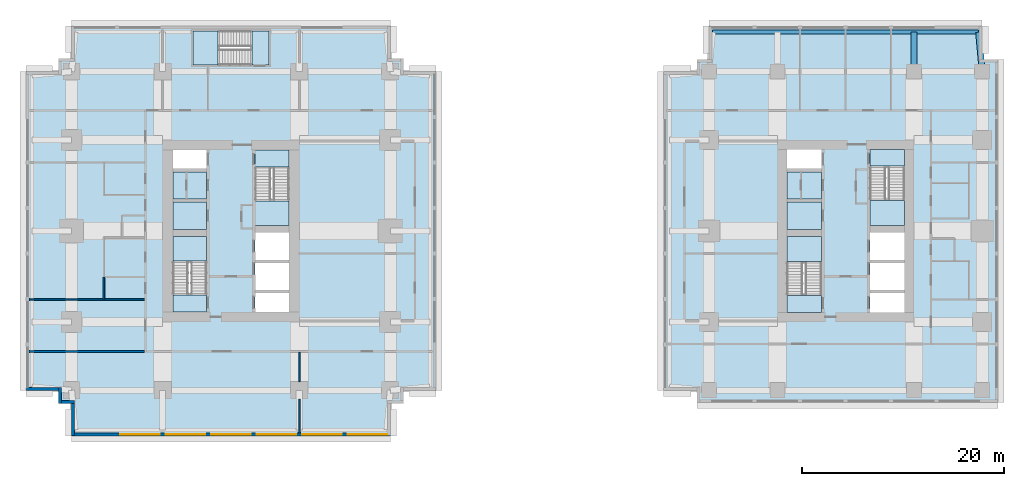
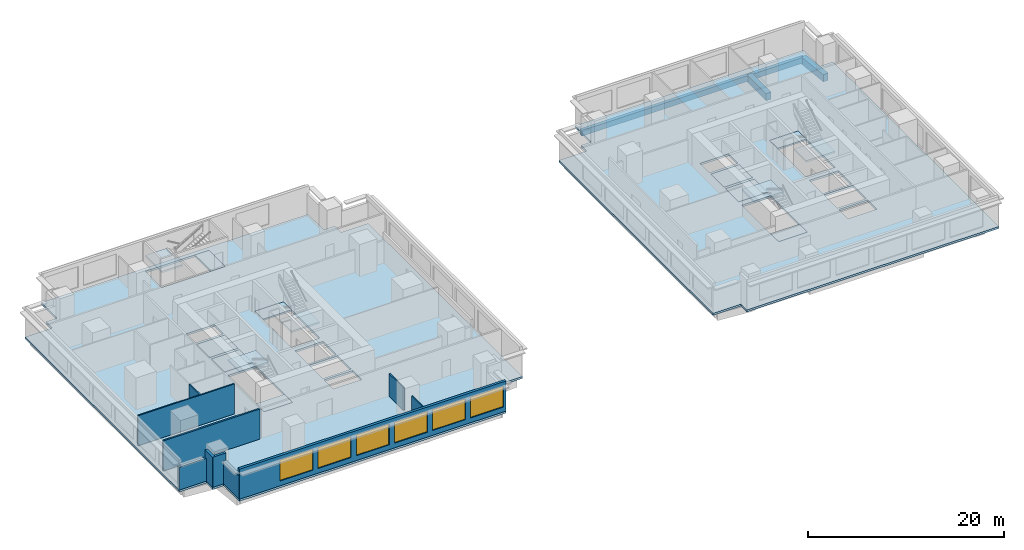
# One storey, part 2 of 10: 16 slabs, 10 walls, 6 windows, 3 beams, 6 openings, 5 elements without a shape of their own.
"""IFC4 building model written with IfcOpenShell, lengths in metres."""

from ifc_helpers import new_model, si_unit, direction, frame, frame_2d, origin, origin_2d, place, context, subcontext, project, spatial, polyline, rectangle, outline, extrude, material, layer, layer_set, material_profile, profile_set, type_object, element, fill, aggregate, save


model = new_model("IFC4")

# Units and contexts
model_context = context("Model", 3, precision=1e-05, world=origin(), true_north=direction((0.0, 1.0)))
body_context = subcontext(model_context, "Body", "Model", "MODEL_VIEW")
ifc_project = project(units=[si_unit("LENGTHUNIT", "METRE"), si_unit("AREAUNIT", "SQUARE_METRE"), si_unit("VOLUMEUNIT", "CUBIC_METRE"), si_unit("PLANEANGLEUNIT", "RADIAN"), si_unit("MASSUNIT", "GRAM", prefix="KILO")], contexts=[model_context])

# Site, building, storey
site_placement = place(None, origin())
site = spatial("IfcSite", under=ifc_project, at=site_placement, CompositionType="ELEMENT")
building_placement = place(site_placement, origin())
building = spatial("IfcBuilding", under=site, at=building_placement, Name="Namib Vertical Campus", CompositionType="ELEMENT")
storey_placement = place(building_placement, frame((0.0, 0.0, 161.0)))
storey = spatial("IfcBuildingStorey", under=building, at=storey_placement, Name="L38", CompositionType="ELEMENT", Elevation=161.0)

# Beams
ifc_material_1 = material(Name="Concrete C40/50", Category="concrete")
ifc_material_profile_1 = material_profile(ifc_material_1, rectangle(XDim=0.60009765625, YDim=0.89990234375, at=origin_2d()))
ifc_profile_set_1 = profile_set([ifc_material_profile_1], Name="Concrete C40/50")
beam_type_1 = type_object("IfcBeamType", Name="Cantilever girder RC 600x900", PredefinedType="BEAM", material=ifc_profile_set_1)
beam_1_placement = place(storey_placement, frame((87.75, 36.0, -0.699951171875), z_axis=(0.0, 1.0, 0.0), x_axis=(-1.0, 0.0, 0.0)))
element("IfcBeam", 1, at=beam_1_placement, inside=storey, type_object=beam_type_1, Name="Beam B3 L38", PredefinedType="BEAM", context=body_context, shape_type="SweptSolid", body=[
    extrude(rectangle(XDim=0.60009765625, YDim=0.89990234375, at=origin_2d()), origin(), (0.0, 0.0, 1.0), 3.89990234375),
])
beam_2_placement = place(storey_placement, frame((94.5, 36.0, -0.699951171875), z_axis=(-0.089411326146, 0.995994786511, 0.0), x_axis=(-0.995994786511, -0.089411326146, 0.0)))
element("IfcBeam", 2, at=beam_2_placement, inside=storey, type_object=beam_type_1, Name="Beam B3 L38", PredefinedType="BEAM", context=body_context, shape_type="SweptSolid", body=[
    extrude(rectangle(XDim=0.60009765625, YDim=0.89990234375, at=origin_2d()), origin(), (0.0, 0.0, 1.0), 3.91552734375),
])
ifc_material_2 = material(Name="Concrete C40/50", Category="concrete")
ifc_material_profile_2 = material_profile(ifc_material_2, rectangle(XDim=0.39990234375, YDim=0.699951171875, at=origin_2d()))
ifc_profile_set_2 = profile_set([ifc_material_profile_2], Name="Concrete C40/50")
beam_type_2 = type_object("IfcBeamType", Name="Edge beam RC 400x700", PredefinedType="SPANDREL", material=ifc_profile_set_2)
beam_3_placement = place(storey_placement, frame((67.85009765625, 39.89990234375, -0.60009765625), z_axis=(1.0, 0.0, 0.0), x_axis=(0.0, 1.0, 0.0)))
element("IfcBeam", 3, at=beam_3_placement, inside=storey, type_object=beam_type_2, Name="Beam B4 L38", PredefinedType="SPANDREL", context=body_context, shape_type="SweptSolid", body=[
    extrude(rectangle(XDim=0.39990234375, YDim=0.699951171875, at=origin_2d()), origin(), (0.0, 0.0, 1.0), 26.2998046875),
])

# Slabs
ifc_material_3 = material(Name="Concrete C40/50", Category="concrete")
ifc_layer_1 = layer(ifc_material_3, 0.25)
ifc_layer_set_1 = layer_set([ifc_layer_1], Name="Concrete C40/50")
slab_type_1 = type_object("IfcSlabType", Name="Floor slab 250", PredefinedType="FLOOR", material=ifc_layer_set_1)
slab_1_placement = place(storey_placement, frame((0.0, 0.0, -0.25)))
element("IfcSlab", 4, at=slab_1_placement, inside=storey, type_object=slab_type_1, Name="Floor slab A L38", PredefinedType="FLOOR", context=body_context, shape_type="SweptSolid", body=[
    extrude(outline(polyline([(4.5, 0.0), (36.0, 0.0), (36.0, 3.199951171875), (37.300048828125, 3.199951171875), (37.300048828125, 4.5), (40.5, 4.5), (40.5, 36.0), (37.300048828125, 36.0), (37.300048828125, 37.300048828125), (36.0, 37.300048828125), (36.0, 40.5), (4.5, 40.5), (4.5, 37.300048828125), (3.199951171875, 37.300048828125), (3.199951171875, 36.0), (0.0, 36.0), (0.0, 4.5), (3.199951171875, 4.5), (3.199951171875, 3.199951171875), (4.5, 3.199951171875), (4.5, 0.0)]), holes=[polyline([(14.5, 12.25), (17.85009765625, 12.25), (17.85009765625, 19.699951171875), (14.5, 19.699951171875), (14.5, 12.25)]), polyline([(22.64990234375, 20.800048828125), (26.0, 20.800048828125), (26.0, 28.25), (22.64990234375, 28.25), (22.64990234375, 20.800048828125)]), polyline([(22.64990234375, 12.25), (26.0, 12.25), (26.0, 14.10009765625), (22.64990234375, 14.10009765625), (22.64990234375, 12.25)]), polyline([(14.5, 20.39990234375), (17.85009765625, 20.39990234375), (17.85009765625, 23.10009765625), (14.5, 23.10009765625), (14.5, 20.39990234375)]), polyline([(14.5, 23.39990234375), (17.85009765625, 23.39990234375), (17.85009765625, 26.10009765625), (14.5, 26.10009765625), (14.5, 23.39990234375)]), polyline([(14.5, 26.39990234375), (17.85009765625, 26.39990234375), (17.85009765625, 28.25), (14.5, 28.25), (14.5, 26.39990234375)]), polyline([(22.64990234375, 14.39990234375), (26.0, 14.39990234375), (26.0, 17.10009765625), (22.64990234375, 17.10009765625), (22.64990234375, 14.39990234375)]), polyline([(22.64990234375, 17.39990234375), (26.0, 17.39990234375), (26.0, 20.10009765625), (22.64990234375, 20.10009765625), (22.64990234375, 17.39990234375)]), polyline([(16.5, 36.64990234375), (24.0, 36.64990234375), (24.0, 40.0), (16.5, 40.0), (16.5, 36.64990234375)])]), origin(), (0.0, 0.0, 1.0), 0.25),
])
slab_2_placement = place(storey_placement, frame((0.0, 0.0, -0.25)))
element("IfcSlab", 5, at=slab_2_placement, inside=storey, type_object=slab_type_1, Name="Floor slab B L38", PredefinedType="FLOOR", context=body_context, shape_type="SweptSolid", body=[
    extrude(outline(polyline([(63.0, 4.5), (66.300048828125, 4.5), (66.300048828125, 3.300048828125), (96.050048828125, 3.300048828125), (96.050048828125, 37.199951171875), (94.5, 37.199951171875), (94.5, 40.5), (67.5, 40.5), (67.5, 37.199951171875), (66.300048828125, 37.199951171875), (66.300048828125, 36.0), (63.0, 36.0), (63.0, 4.5)]), holes=[polyline([(75.199951171875, 12.199951171875), (78.60009765625, 12.199951171875), (78.60009765625, 19.699951171875), (75.199951171875, 19.699951171875), (75.199951171875, 12.199951171875)]), polyline([(83.39990234375, 20.800048828125), (86.800048828125, 20.800048828125), (86.800048828125, 28.300048828125), (83.39990234375, 28.300048828125), (83.39990234375, 20.800048828125)]), polyline([(83.39990234375, 12.199951171875), (86.800048828125, 12.199951171875), (86.800048828125, 14.10009765625), (83.39990234375, 14.10009765625), (83.39990234375, 12.199951171875)]), polyline([(75.199951171875, 20.39990234375), (78.60009765625, 20.39990234375), (78.60009765625, 23.10009765625), (75.199951171875, 23.10009765625), (75.199951171875, 20.39990234375)]), polyline([(75.199951171875, 23.39990234375), (78.60009765625, 23.39990234375), (78.60009765625, 26.10009765625), (75.199951171875, 26.10009765625), (75.199951171875, 23.39990234375)]), polyline([(75.199951171875, 26.39990234375), (78.60009765625, 26.39990234375), (78.60009765625, 28.300048828125), (75.199951171875, 28.300048828125), (75.199951171875, 26.39990234375)]), polyline([(83.39990234375, 14.39990234375), (86.800048828125, 14.39990234375), (86.800048828125, 17.10009765625), (83.39990234375, 17.10009765625), (83.39990234375, 14.39990234375)]), polyline([(83.39990234375, 17.39990234375), (86.800048828125, 17.39990234375), (86.800048828125, 20.10009765625), (83.39990234375, 20.10009765625), (83.39990234375, 17.39990234375)])]), origin(), (0.0, 0.0, 1.0), 0.25),
])
ifc_material_4 = material(Name="Concrete C40/50 precast", Category="concrete")
ifc_layer_2 = layer(ifc_material_4, 0.25)
ifc_layer_set_2 = layer_set([ifc_layer_2], Name="Concrete C40/50 precast")
slab_type_2 = type_object("IfcSlabType", Name="Shaft infill floor 250", PredefinedType="FLOOR", material=ifc_layer_set_2)
slab_3_placement = place(storey_placement, frame((0.0, 0.0, -0.25)))
element("IfcSlab", 6, at=slab_3_placement, inside=storey, type_object=slab_type_2, Name="Shaft infill floor A L38 P1", PredefinedType="FLOOR", context=body_context, shape_type="SweptSolid", body=[
    extrude(outline(polyline([(14.5, 20.39990234375), (17.85009765625, 20.39990234375), (17.85009765625, 23.10009765625), (14.5, 23.10009765625), (14.5, 20.39990234375)])), origin(), (0.0, 0.0, 1.0), 0.25),
])
slab_4_placement = place(storey_placement, frame((0.0, 0.0, -0.25)))
element("IfcSlab", 7, at=slab_4_placement, inside=storey, type_object=slab_type_2, Name="Shaft infill floor A L38 P2", PredefinedType="FLOOR", context=body_context, shape_type="SweptSolid", body=[
    extrude(outline(polyline([(14.5, 23.39990234375), (17.85009765625, 23.39990234375), (17.85009765625, 26.10009765625), (14.5, 26.10009765625), (14.5, 23.39990234375)])), origin(), (0.0, 0.0, 1.0), 0.25),
])
slab_5_placement = place(storey_placement, frame((0.0, 0.0, -0.25)))
element("IfcSlab", 8, at=slab_5_placement, inside=storey, type_object=slab_type_2, Name="Shaft infill floor B L38 P1", PredefinedType="FLOOR", context=body_context, shape_type="SweptSolid", body=[
    extrude(outline(polyline([(75.199951171875, 20.39990234375), (78.60009765625, 20.39990234375), (78.60009765625, 23.10009765625), (75.199951171875, 23.10009765625), (75.199951171875, 20.39990234375)])), origin(), (0.0, 0.0, 1.0), 0.25),
])
slab_6_placement = place(storey_placement, frame((0.0, 0.0, -0.25)))
element("IfcSlab", 9, at=slab_6_placement, inside=storey, type_object=slab_type_2, Name="Shaft infill floor B L38 P2", PredefinedType="FLOOR", context=body_context, shape_type="SweptSolid", body=[
    extrude(outline(polyline([(75.199951171875, 23.39990234375), (78.60009765625, 23.39990234375), (78.60009765625, 26.10009765625), (75.199951171875, 26.10009765625), (75.199951171875, 23.39990234375)])), origin(), (0.0, 0.0, 1.0), 0.25),
])

# Stair, slabs
ifc_material_5 = material(Name="Concrete C40/50 precast", Category="concrete")
stair_type_1 = type_object("IfcStairType", Name="Exit stair 4000 rise 24 risers 3350 wide", PredefinedType="HALF_TURN_STAIR", material=ifc_material_5)
stair_1_placement = place(storey_placement, origin())
stair_1 = element("IfcStair", 10, at=stair_1_placement, inside=storey, type_object=stair_type_1, Name="Exit stair A-S1 L38", PredefinedType="HALF_TURN_STAIR")
ifc_material_6 = material(Name="Concrete C40/50", Category="concrete")
ifc_layer_3 = layer(ifc_material_6, 0.199951171875)
ifc_layer_set_3 = layer_set([ifc_layer_3], Name="Concrete C40/50")
slab_type_3 = type_object("IfcSlabType", Name="Stair landing 200", PredefinedType="LANDING", material=ifc_layer_set_3)
slab_7_placement = place(storey_placement, frame((0.0, 0.0, -0.199951171875)))
slab_7 = element("IfcSlab", 11, at=slab_7_placement, type_object=slab_type_3, Name="A-S1 landing 1", PredefinedType="LANDING", context=body_context, shape_type="SweptSolid", body=[
    extrude(outline(polyline([(14.5, 12.25), (17.85009765625, 12.25), (17.85009765625, 13.90380859375), (14.5, 13.90380859375), (14.5, 12.25)])), origin(), (0.0, 0.0, 1.0), 0.199951171875),
])
slab_8_placement = place(storey_placement, frame((0.0, 0.0, 1.800048828125)))
slab_8 = element("IfcSlab", 12, at=slab_8_placement, type_object=slab_type_3, Name="A-S1 landing 2", PredefinedType="LANDING", context=body_context, shape_type="SweptSolid", body=[
    extrude(outline(polyline([(14.5, 17.276123046875), (17.85009765625, 17.276123046875), (17.85009765625, 19.699951171875), (14.5, 19.699951171875), (14.5, 17.276123046875)])), origin(), (0.0, 0.0, 1.0), 0.199951171875),
])
aggregate(stair_1, [slab_7, slab_8])

stair_2_placement = place(storey_placement, origin())
stair_2 = element("IfcStair", 13, at=stair_2_placement, inside=storey, type_object=stair_type_1, Name="Exit stair A-S2 L38", PredefinedType="HALF_TURN_STAIR")
slab_9_placement = place(storey_placement, frame((0.0, 0.0, -0.199951171875)))
slab_9 = element("IfcSlab", 14, at=slab_9_placement, type_object=slab_type_3, Name="A-S2 landing 1", PredefinedType="LANDING", context=body_context, shape_type="SweptSolid", body=[
    extrude(outline(polyline([(22.64990234375, 26.59619140625), (26.0, 26.59619140625), (26.0, 28.25), (22.64990234375, 28.25), (22.64990234375, 26.59619140625)])), origin(), (0.0, 0.0, 1.0), 0.199951171875),
])
slab_10_placement = place(storey_placement, frame((0.0, 0.0, 1.800048828125)))
slab_10 = element("IfcSlab", 15, at=slab_10_placement, type_object=slab_type_3, Name="A-S2 landing 2", PredefinedType="LANDING", context=body_context, shape_type="SweptSolid", body=[
    extrude(outline(polyline([(22.64990234375, 20.800048828125), (26.0, 20.800048828125), (26.0, 23.223876953125), (22.64990234375, 23.223876953125), (22.64990234375, 20.800048828125)])), origin(), (0.0, 0.0, 1.0), 0.199951171875),
])
aggregate(stair_2, [slab_9, slab_10])

ifc_material_7 = material(Name="Concrete C40/50 precast", Category="concrete")
stair_type_2 = type_object("IfcStairType", Name="Exit stair 4000 rise 24 risers 3400 wide", PredefinedType="HALF_TURN_STAIR", material=ifc_material_7)
stair_3_placement = place(storey_placement, origin())
stair_3 = element("IfcStair", 16, at=stair_3_placement, inside=storey, type_object=stair_type_2, Name="Exit stair B-S1 L38", PredefinedType="HALF_TURN_STAIR")
slab_11_placement = place(storey_placement, frame((0.0, 0.0, -0.199951171875)))
slab_11 = element("IfcSlab", 17, at=slab_11_placement, type_object=slab_type_3, Name="B-S1 landing 1", PredefinedType="LANDING", context=body_context, shape_type="SweptSolid", body=[
    extrude(outline(polyline([(75.199951171875, 12.199951171875), (78.60009765625, 12.199951171875), (78.60009765625, 13.85400390625), (75.199951171875, 13.85400390625), (75.199951171875, 12.199951171875)])), origin(), (0.0, 0.0, 1.0), 0.199951171875),
])
slab_12_placement = place(storey_placement, frame((0.0, 0.0, 1.800048828125)))
slab_12 = element("IfcSlab", 18, at=slab_12_placement, type_object=slab_type_3, Name="B-S1 landing 2", PredefinedType="LANDING", context=body_context, shape_type="SweptSolid", body=[
    extrude(outline(polyline([(75.199951171875, 17.22607421875), (78.60009765625, 17.22607421875), (78.60009765625, 19.699951171875), (75.199951171875, 19.699951171875), (75.199951171875, 17.22607421875)])), origin(), (0.0, 0.0, 1.0), 0.199951171875),
])
aggregate(stair_3, [slab_11, slab_12])

stair_4_placement = place(storey_placement, origin())
stair_4 = element("IfcStair", 19, at=stair_4_placement, inside=storey, type_object=stair_type_2, Name="Exit stair B-S2 L38", PredefinedType="HALF_TURN_STAIR")
slab_13_placement = place(storey_placement, frame((0.0, 0.0, -0.199951171875)))
slab_13 = element("IfcSlab", 20, at=slab_13_placement, type_object=slab_type_3, Name="B-S2 landing 1", PredefinedType="LANDING", context=body_context, shape_type="SweptSolid", body=[
    extrude(outline(polyline([(83.39990234375, 26.64599609375), (86.800048828125, 26.64599609375), (86.800048828125, 28.300048828125), (83.39990234375, 28.300048828125), (83.39990234375, 26.64599609375)])), origin(), (0.0, 0.0, 1.0), 0.199951171875),
])
slab_14_placement = place(storey_placement, frame((0.0, 0.0, 1.800048828125)))
slab_14 = element("IfcSlab", 21, at=slab_14_placement, type_object=slab_type_3, Name="B-S2 landing 2", PredefinedType="LANDING", context=body_context, shape_type="SweptSolid", body=[
    extrude(outline(polyline([(83.39990234375, 20.800048828125), (86.800048828125, 20.800048828125), (86.800048828125, 23.27392578125), (83.39990234375, 23.27392578125), (83.39990234375, 20.800048828125)])), origin(), (0.0, 0.0, 1.0), 0.199951171875),
])
aggregate(stair_4, [slab_13, slab_14])

stair_5_placement = place(storey_placement, origin())
stair_5 = element("IfcStair", 22, at=stair_5_placement, inside=storey, type_object=stair_type_1, Name="Exit stair A-S3 L38", PredefinedType="HALF_TURN_STAIR")
slab_15_placement = place(storey_placement, frame((0.0, 0.0, -0.199951171875)))
slab_15 = element("IfcSlab", 23, at=slab_15_placement, type_object=slab_type_3, Name="A-S3 landing 1", PredefinedType="LANDING", context=body_context, shape_type="SweptSolid", body=[
    extrude(outline(polyline([(22.34619140625, 36.64990234375), (22.34619140625, 40.0), (24.0, 40.0), (24.0, 36.64990234375), (22.34619140625, 36.64990234375)])), origin(), (0.0, 0.0, 1.0), 0.199951171875),
])
slab_16_placement = place(storey_placement, frame((0.0, 0.0, 1.800048828125)))
slab_16 = element("IfcSlab", 24, at=slab_16_placement, type_object=slab_type_3, Name="A-S3 landing 2", PredefinedType="LANDING", context=body_context, shape_type="SweptSolid", body=[
    extrude(outline(polyline([(16.5, 36.64990234375), (16.5, 40.0), (18.973876953125, 40.0), (18.973876953125, 36.64990234375), (16.5, 36.64990234375)])), origin(), (0.0, 0.0, 1.0), 0.199951171875),
])
aggregate(stair_5, [slab_15, slab_16])

# Wall
ifc_material_8 = material(Name="Concrete masonry", Category="masonry")
ifc_layer_4 = layer(ifc_material_8, 0.199951171875)
ifc_layer_set_4 = layer_set([ifc_layer_4], Name="Corridor wall 200")
wall_type_1 = type_object("IfcWallType", Name="Corridor wall 200", PredefinedType="SOLIDWALL", material=ifc_layer_set_4)
wall_1_placement = place(storey_placement, frame((0.300048828125, 8.35009765625, 0.0), z_axis=(0.0, 0.0, 1.0), x_axis=(1.0, 0.0, 0.0)))
element("IfcWall", 25, at=wall_1_placement, inside=storey, type_object=wall_type_1, Name="Partition A L38 BSW", PredefinedType="SOLIDWALL", context=body_context, shape_type="SweptSolid", body=[
    extrude(rectangle(XDim=11.39990234375, YDim=0.199951171875, at=frame_2d((5.699951171875, 0.0))), origin(), (0.0, 0.0, 1.0), 3.75),
])

# Wall, openings, windows
ifc_material_9 = material(Name="Concrete C40/50", Category="concrete")
ifc_layer_5 = layer(ifc_material_9, 0.300048828125)
ifc_layer_set_5 = layer_set([ifc_layer_5], Name="Concrete C40/50")
wall_type_2 = type_object("IfcWallType", Name="External wall 300 board-marked concrete", PredefinedType="STANDARD", material=ifc_layer_set_5)
wall_2_placement = place(storey_placement, frame((4.52001953125, 0.14990234375, 0.0), z_axis=(0.0, 0.0, 1.0), x_axis=(1.0, 0.0, 0.0)))
wall_2 = element("IfcWall", 26, at=wall_2_placement, inside=storey, type_object=wall_type_2, Name="External wall L38 F01", PredefinedType="STANDARD", context=body_context, shape_type="SweptSolid", body=[
    extrude(rectangle(XDim=31.4599609375, YDim=0.300048828125, at=frame_2d((15.72998046875, 0.0))), origin(), (0.0, 0.0, 1.0), 3.75),
])
opening_1_placement = place(wall_2_placement, frame((4.780029296875, 0.0, 0.60009765625)))
opening_1 = element("IfcOpeningElement", 27, at=opening_1_placement, cuts=wall_2, Name="Opening W2", PredefinedType="OPENING", context=body_context, shape_type="SweptSolid", body=[
    extrude(rectangle(XDim=3.89990234375, YDim=2.60009765625, at=frame_2d((1.949951171875, 1.300048828125))), frame((0.0, 0.159912109375, 0.0), z_axis=(0.0, -1.0, 0.0), x_axis=(1.0, 0.0, 0.0)), (0.0, 0.0, 1.0), 0.320068359375),
])
opening_2_placement = place(wall_2_placement, frame((9.280029296875, 0.0, 0.60009765625)))
opening_2 = element("IfcOpeningElement", 28, at=opening_2_placement, cuts=wall_2, Name="Opening W2", PredefinedType="OPENING", context=body_context, shape_type="SweptSolid", body=[
    extrude(rectangle(XDim=3.89990234375, YDim=2.60009765625, at=frame_2d((1.949951171875, 1.300048828125))), frame((0.0, 0.159912109375, 0.0), z_axis=(0.0, -1.0, 0.0), x_axis=(1.0, 0.0, 0.0)), (0.0, 0.0, 1.0), 0.320068359375),
])
opening_3_placement = place(wall_2_placement, frame((13.780029296875, 0.0, 0.60009765625)))
opening_3 = element("IfcOpeningElement", 29, at=opening_3_placement, cuts=wall_2, Name="Opening W2", PredefinedType="OPENING", context=body_context, shape_type="SweptSolid", body=[
    extrude(rectangle(XDim=3.89990234375, YDim=2.60009765625, at=frame_2d((1.949951171875, 1.300048828125))), frame((0.0, 0.159912109375, 0.0), z_axis=(0.0, -1.0, 0.0), x_axis=(1.0, 0.0, 0.0)), (0.0, 0.0, 1.0), 0.320068359375),
])
opening_4_placement = place(wall_2_placement, frame((18.280029296875, 0.0, 0.60009765625)))
opening_4 = element("IfcOpeningElement", 30, at=opening_4_placement, cuts=wall_2, Name="Opening W2", PredefinedType="OPENING", context=body_context, shape_type="SweptSolid", body=[
    extrude(rectangle(XDim=3.89990234375, YDim=2.60009765625, at=frame_2d((1.949951171875, 1.300048828125))), frame((0.0, 0.159912109375, 0.0), z_axis=(0.0, -1.0, 0.0), x_axis=(1.0, 0.0, 0.0)), (0.0, 0.0, 1.0), 0.320068359375),
])
opening_5_placement = place(wall_2_placement, frame((22.780029296875, 0.0, 0.60009765625)))
opening_5 = element("IfcOpeningElement", 31, at=opening_5_placement, cuts=wall_2, Name="Opening W2", PredefinedType="OPENING", context=body_context, shape_type="SweptSolid", body=[
    extrude(rectangle(XDim=3.89990234375, YDim=2.60009765625, at=frame_2d((1.949951171875, 1.300048828125))), frame((0.0, 0.159912109375, 0.0), z_axis=(0.0, -1.0, 0.0), x_axis=(1.0, 0.0, 0.0)), (0.0, 0.0, 1.0), 0.320068359375),
])
opening_6_placement = place(wall_2_placement, frame((27.280029296875, 0.0, 0.60009765625)))
opening_6 = element("IfcOpeningElement", 32, at=opening_6_placement, cuts=wall_2, Name="Opening W2", PredefinedType="OPENING", context=body_context, shape_type="SweptSolid", body=[
    extrude(rectangle(XDim=3.89990234375, YDim=2.60009765625, at=frame_2d((1.949951171875, 1.300048828125))), frame((0.0, 0.159912109375, 0.0), z_axis=(0.0, -1.0, 0.0), x_axis=(1.0, 0.0, 0.0)), (0.0, 0.0, 1.0), 0.320068359375),
])
ifc_material_10 = material(Name="Dark tinted glass in black aluminium frame", Category="aluminium")
window_type = type_object("IfcWindowType", Name="Ribbon window 3900x2600", PartitioningType="SINGLE_PANEL", PredefinedType="WINDOW", material=ifc_material_10)
window_1_placement = place(opening_1_placement, origin())
window_1 = element("IfcWindow", 33, at=window_1_placement, inside=storey, type_object=window_type, Name="Window W2 L38 F01-2", OverallHeight=2.60009765625, OverallWidth=3.89990234375, PartitioningType="SINGLE_PANEL", PredefinedType="WINDOW", context=body_context, shape_type="SweptSolid", body=[
    extrude(rectangle(XDim=3.89990234375, YDim=2.60009765625, at=frame_2d((1.949951171875, 1.300048828125))), frame((0.0, 0.030029296875, 0.0), z_axis=(0.0, -1.0, 0.0), x_axis=(1.0, 0.0, 0.0)), (0.0, 0.0, 1.0), 0.06005859375),
])
fill(opening_1, window_1)
window_2_placement = place(opening_2_placement, origin())
window_2 = element("IfcWindow", 34, at=window_2_placement, inside=storey, type_object=window_type, Name="Window W2 L38 F01-3", OverallHeight=2.60009765625, OverallWidth=3.89990234375, PartitioningType="SINGLE_PANEL", PredefinedType="WINDOW", context=body_context, shape_type="SweptSolid", body=[
    extrude(rectangle(XDim=3.89990234375, YDim=2.60009765625, at=frame_2d((1.949951171875, 1.300048828125))), frame((0.0, 0.030029296875, 0.0), z_axis=(0.0, -1.0, 0.0), x_axis=(1.0, 0.0, 0.0)), (0.0, 0.0, 1.0), 0.06005859375),
])
fill(opening_2, window_2)
window_3_placement = place(opening_3_placement, origin())
window_3 = element("IfcWindow", 35, at=window_3_placement, inside=storey, type_object=window_type, Name="Window W2 L38 F01-4", OverallHeight=2.60009765625, OverallWidth=3.89990234375, PartitioningType="SINGLE_PANEL", PredefinedType="WINDOW", context=body_context, shape_type="SweptSolid", body=[
    extrude(rectangle(XDim=3.89990234375, YDim=2.60009765625, at=frame_2d((1.949951171875, 1.300048828125))), frame((0.0, 0.030029296875, 0.0), z_axis=(0.0, -1.0, 0.0), x_axis=(1.0, 0.0, 0.0)), (0.0, 0.0, 1.0), 0.06005859375),
])
fill(opening_3, window_3)
window_4_placement = place(opening_4_placement, origin())
window_4 = element("IfcWindow", 36, at=window_4_placement, inside=storey, type_object=window_type, Name="Window W2 L38 F01-5", OverallHeight=2.60009765625, OverallWidth=3.89990234375, PartitioningType="SINGLE_PANEL", PredefinedType="WINDOW", context=body_context, shape_type="SweptSolid", body=[
    extrude(rectangle(XDim=3.89990234375, YDim=2.60009765625, at=frame_2d((1.949951171875, 1.300048828125))), frame((0.0, 0.030029296875, 0.0), z_axis=(0.0, -1.0, 0.0), x_axis=(1.0, 0.0, 0.0)), (0.0, 0.0, 1.0), 0.06005859375),
])
fill(opening_4, window_4)
window_5_placement = place(opening_5_placement, origin())
window_5 = element("IfcWindow", 37, at=window_5_placement, inside=storey, type_object=window_type, Name="Window W2 L38 F01-6", OverallHeight=2.60009765625, OverallWidth=3.89990234375, PartitioningType="SINGLE_PANEL", PredefinedType="WINDOW", context=body_context, shape_type="SweptSolid", body=[
    extrude(rectangle(XDim=3.89990234375, YDim=2.60009765625, at=frame_2d((1.949951171875, 1.300048828125))), frame((0.0, 0.030029296875, 0.0), z_axis=(0.0, -1.0, 0.0), x_axis=(1.0, 0.0, 0.0)), (0.0, 0.0, 1.0), 0.06005859375),
])
fill(opening_5, window_5)
window_6_placement = place(opening_6_placement, origin())
window_6 = element("IfcWindow", 38, at=window_6_placement, inside=storey, type_object=window_type, Name="Window W2 L38 F01-7", OverallHeight=2.60009765625, OverallWidth=3.89990234375, PartitioningType="SINGLE_PANEL", PredefinedType="WINDOW", context=body_context, shape_type="SweptSolid", body=[
    extrude(rectangle(XDim=3.89990234375, YDim=2.60009765625, at=frame_2d((1.949951171875, 1.300048828125))), frame((0.0, 0.030029296875, 0.0), z_axis=(0.0, -1.0, 0.0), x_axis=(1.0, 0.0, 0.0)), (0.0, 0.0, 1.0), 0.06005859375),
])
fill(opening_6, window_6)

# Walls
wall_3_placement = place(storey_placement, frame((0.02001953125, 4.64990234375, 0.0), z_axis=(0.0, 0.0, 1.0), x_axis=(1.0, 0.0, 0.0)))
element("IfcWall", 39, at=wall_3_placement, inside=storey, type_object=wall_type_2, Name="External wall L38 F17", PredefinedType="STANDARD", context=body_context, shape_type="SweptSolid", body=[
    extrude(rectangle(XDim=3.4599609375, YDim=0.300048828125, at=frame_2d((1.72998046875, 0.0))), origin(), (0.0, 0.0, 1.0), 2.85009765625),
])
for number, where, z_axis, x_axis, name in (
    (40, (3.35009765625, 4.780029296875, 0.0), (0.0, 0.0, 1.0), (0.0, -1.0, 0.0), "External wall L38 F18"),
    (41, (3.219970703125, 3.35009765625, 0.0), (0.0, 0.0, 1.0), (1.0, 0.0, 0.0), "External wall L38 F19"),
):
    element("IfcWall", number, at=place(storey_placement, frame(where, z_axis=z_axis, x_axis=x_axis)), inside=storey, type_object=wall_type_2, Name=name, PredefinedType="STANDARD", context=body_context, shape_type="SweptSolid", body=[
        extrude(rectangle(XDim=1.56005859375, YDim=0.300048828125, at=frame_2d((0.780029296875, 0.0))), origin(), (0.0, 0.0, 1.0), 3.75),
    ])
wall_4_placement = place(storey_placement, frame((4.64990234375, 3.47998046875, 0.0), z_axis=(0.0, 0.0, 1.0), x_axis=(0.0, -1.0, 0.0)))
element("IfcWall", 42, at=wall_4_placement, inside=storey, type_object=wall_type_2, Name="External wall L38 F20", PredefinedType="STANDARD", context=body_context, shape_type="SweptSolid", body=[
    extrude(rectangle(XDim=3.4599609375, YDim=0.300048828125, at=frame_2d((1.72998046875, 0.0))), origin(), (0.0, 0.0, 1.0), 2.85009765625),
])
ifc_material_11 = material(Name="Gypsum board on steel studs", Category="steel")
ifc_layer_6 = layer(ifc_material_11, 0.14990234375)
ifc_layer_set_6 = layer_set([ifc_layer_6], Name="Gypsum board on steel studs")
wall_type_3 = type_object("IfcWallType", Name="Partition 150", PredefinedType="PARTITIONING", material=ifc_layer_set_6)
wall_5_placement = place(storey_placement, frame((27.0, 0.300048828125, 0.0), z_axis=(0.0, 0.0, 1.0), x_axis=(0.0, 1.0, 0.0)))
element("IfcWall", 43, at=wall_5_placement, inside=storey, type_object=wall_type_3, Name="Partition A L38 PS1", PredefinedType="PARTITIONING", context=body_context, shape_type="SweptSolid", body=[
    extrude(rectangle(XDim=3.329833984375, YDim=0.14990234375, at=frame_2d((1.6650390625, 0.0))), origin(), (0.0, 0.0, 1.0), 2.85009765625),
])
wall_6_placement = place(storey_placement, frame((27.0, 5.3701171875, 0.0), z_axis=(0.0, 0.0, 1.0), x_axis=(0.0, 1.0, 0.0)))
element("IfcWall", 44, at=wall_6_placement, inside=storey, type_object=wall_type_3, Name="Partition A L38 PS1", PredefinedType="PARTITIONING", context=body_context, shape_type="SweptSolid", body=[
    extrude(rectangle(XDim=2.8798828125, YDim=0.14990234375, at=frame_2d((1.43994140625, 0.0))), origin(), (0.0, 0.0, 1.0), 2.85009765625),
])
wall_7_placement = place(storey_placement, frame((0.300048828125, 13.5, 0.0), z_axis=(0.0, 0.0, 1.0), x_axis=(1.0, 0.0, 0.0)))
element("IfcWall", 45, at=wall_7_placement, inside=storey, type_object=wall_type_3, Name="Partition A L38 PW1", PredefinedType="PARTITIONING", context=body_context, shape_type="SweptSolid", body=[
    extrude(rectangle(XDim=11.39990234375, YDim=0.14990234375, at=frame_2d((5.699951171875, 0.0))), origin(), (0.0, 0.0, 1.0), 3.75),
])
wall_8_placement = place(storey_placement, frame((7.699951171875, 13.5, 0.0), z_axis=(0.0, 0.0, 1.0), x_axis=(0.0, 1.0, 0.0)))
element("IfcWall", 46, at=wall_8_placement, inside=storey, type_object=wall_type_3, Name="Partition A L38 WB1", PredefinedType="PARTITIONING", context=body_context, shape_type="SweptSolid", body=[
    extrude(rectangle(XDim=2.199951171875, YDim=0.14990234375, at=frame_2d((1.10009765625, 0.0))), origin(), (0.0, 0.0, 1.0), 3.75),
])

save(model, "model.ifc")
